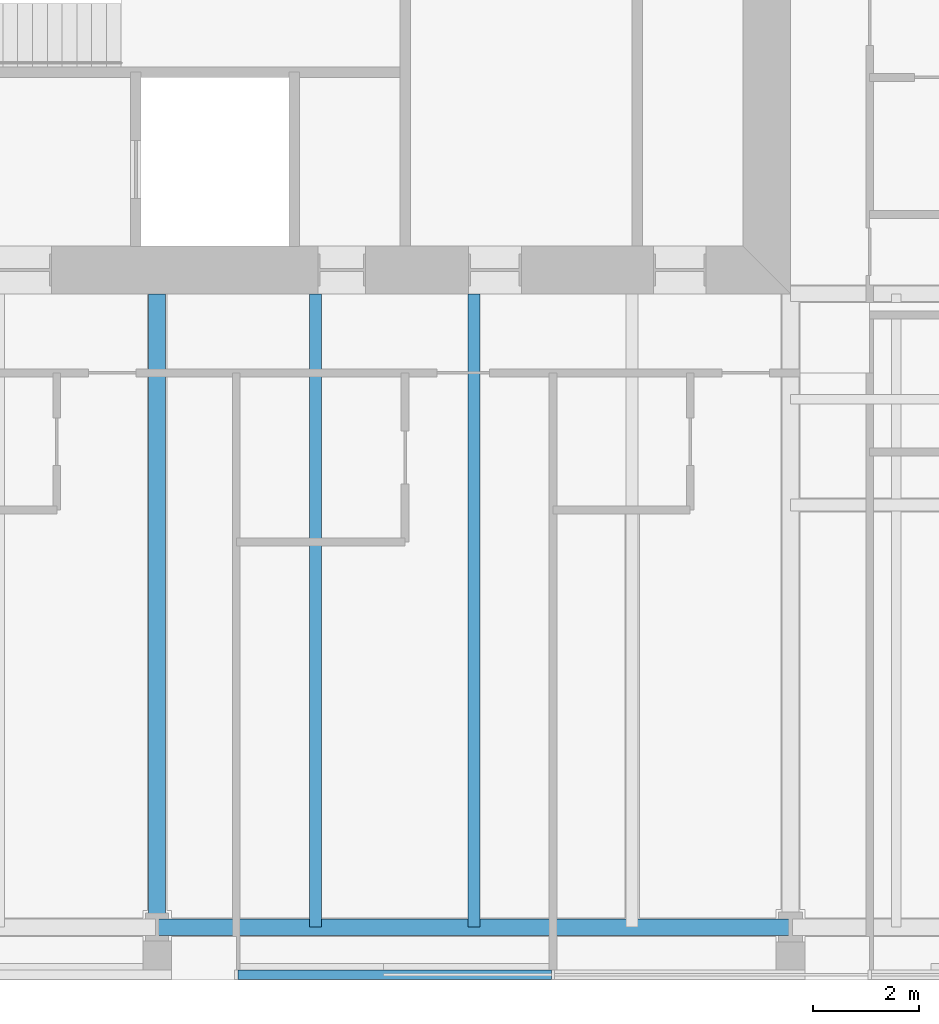
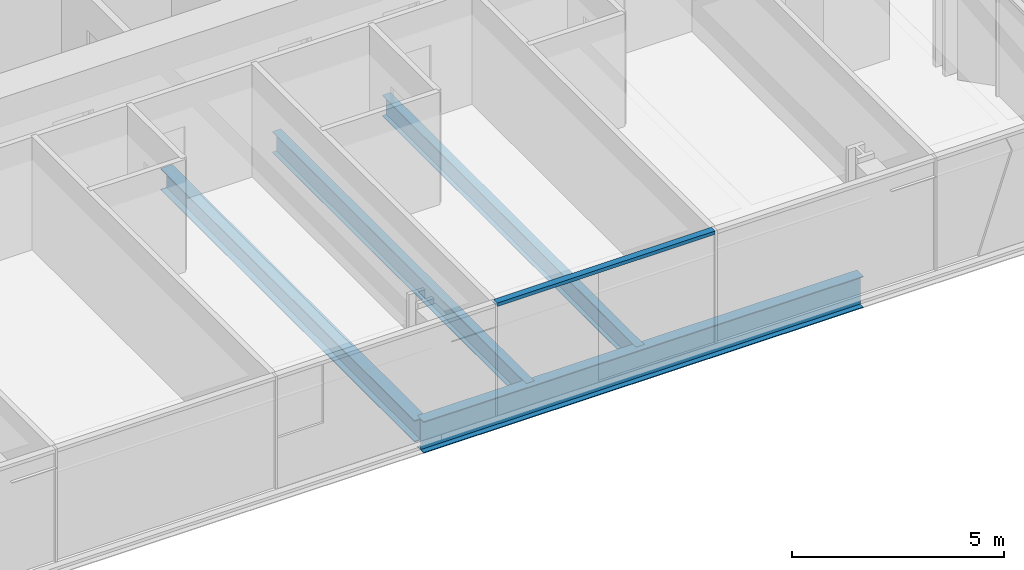
# One storey, part 3 of 20: 4 beams, 1 member, 1 element without a shape of its own.
"""IFC4 building model written with IfcOpenShell, lengths in metres."""

from ifc_helpers import new_model, si_unit, direction, frame, origin, origin_2d, place, context, subcontext, project, spatial, rectangle, i_section, extrude, material, material_profile, profile_set, type_object, element, aggregate, save


model = new_model("IFC4")

# Units and contexts
model_context = context("Model", 3, precision=1e-05, world=origin(), true_north=direction((0.0, 1.0)))
body_context = subcontext(model_context, "Body", "Model", "MODEL_VIEW")
ifc_project = project(units=[si_unit("LENGTHUNIT", "METRE"), si_unit("AREAUNIT", "SQUARE_METRE"), si_unit("VOLUMEUNIT", "CUBIC_METRE"), si_unit("PLANEANGLEUNIT", "RADIAN"), si_unit("MASSUNIT", "GRAM", prefix="KILO")], contexts=[model_context])

# Site, building, storey
site_placement = place(None, origin())
site = spatial("IfcSite", under=ifc_project, at=site_placement, CompositionType="ELEMENT")
building_placement = place(site_placement, origin())
building = spatial("IfcBuilding", under=site, at=building_placement, Name="Fenwick Lantern Interchange", CompositionType="ELEMENT")
storey_placement = place(building_placement, frame((0.0, 0.0, 252.60009765625)))
storey = spatial("IfcBuildingStorey", under=building, at=storey_placement, Name="L59", CompositionType="ELEMENT", Elevation=252.60009765625)

# Beams
ifc_material_1 = material(Name="Steel ASTM A992 Grade 50", Category="steel")
ifc_material_profile_1 = material_profile(ifc_material_1, i_section(OverallWidth=0.3046875, OverallDepth=0.911865234375, WebThickness=0.015869140625, FlangeThickness=0.02392578125, at=origin_2d()), Name="W36X150")
ifc_profile_set_1 = profile_set([ifc_material_profile_1], Name="Steel ASTM A992 Grade 50")
beam_type_1 = type_object("IfcBeamType", Name="EDGE BEAM W36X150", PredefinedType="SPANDREL", material=ifc_profile_set_1)
beam_1_placement = place(storey_placement, frame((25.0, 1.0, -0.60595703125), z_axis=(1.0, 0.0, 0.0), x_axis=(0.0, 1.0, 0.0)))
element("IfcBeam", 1, at=beam_1_placement, inside=storey, type_object=beam_type_1, Name="L59/FR/S/EB3", PredefinedType="SPANDREL", context=body_context, shape_type="SweptSolid", body=[
    extrude(i_section(OverallWidth=0.3046875, OverallDepth=0.911865234375, WebThickness=0.015869140625, FlangeThickness=0.02392578125, at=origin_2d()), origin(), (0.0, 0.0, 1.0), 12.0),
])
ifc_material_profile_2 = material_profile(ifc_material_1, i_section(OverallWidth=0.22900390625, OverallDepth=0.612060546875, WebThickness=0.011962890625, FlangeThickness=0.01953125, at=origin_2d()), Name="W24X84")
ifc_profile_set_2 = profile_set([ifc_material_profile_2], Name="Steel ASTM A992 Grade 50")
beam_type_2 = type_object("IfcBeamType", Name="FLOOR BEAM W24X84", PredefinedType="BEAM", material=ifc_profile_set_2)
for number, where, z_axis, x_axis, name in (
    (2, (28.0, 1.0, -0.4560546875), (0.0, 1.0, 0.0), (-1.0, 0.0, 0.0), "L59/FR/S/R06"),
    (3, (31.0, 1.0, -0.4560546875), (0.0, 1.0, 0.0), (-1.0, 0.0, 0.0), "L59/FR/S/R07"),
):
    element("IfcBeam", number, at=place(storey_placement, frame(where, z_axis=z_axis, x_axis=x_axis)), inside=storey, type_object=beam_type_2, Name=name, PredefinedType="BEAM", context=body_context, shape_type="SweptSolid", body=[
        extrude(i_section(OverallWidth=0.22900390625, OverallDepth=0.612060546875, WebThickness=0.011962890625, FlangeThickness=0.01953125, at=origin_2d()), origin(), (0.0, 0.0, 1.0), 12.0),
    ])

# Curtain wall, member
ifc_material_2 = material(Name="Aluminium curtain wall frame", Category="aluminium")
curtain_wall_type = type_object("IfcCurtainWallType", Name="HOTEL CURTAIN WALL", PredefinedType="USERDEFINED", material=ifc_material_2)
curtain_wall_placement = place(storey_placement, origin())
curtain_wall = element("IfcCurtainWall", 4, at=curtain_wall_placement, inside=storey, type_object=curtain_wall_type, Name="Hotel curtain wall 01", ObjectType="HOTEL CURTAIN WALL", PredefinedType="USERDEFINED")
ifc_material_3 = material(Name="Aluminium extrusion", Category="aluminium")
ifc_material_profile_3 = material_profile(ifc_material_3, rectangle(XDim=0.179931640625, YDim=0.10009765625, at=origin_2d()), Name="HOTEL CURTAIN WALL TRANSOM 100 X 180")
ifc_profile_set_3 = profile_set([ifc_material_profile_3], Name="Aluminium extrusion")
member_type = type_object("IfcMemberType", Name="HOTEL CURTAIN WALL TRANSOM 100 X 180", PredefinedType="MULLION", material=ifc_profile_set_3)
member_placement = place(storey_placement, frame((26.530029296875, 0.10009765625, 3.199951171875), z_axis=(1.0, 0.0, 0.0), x_axis=(0.0, 1.0, 0.0)))
member = element("IfcMember", 5, at=member_placement, type_object=member_type, Name="L59/CW/01/T04", PredefinedType="MULLION", context=body_context, shape_type="SweptSolid", body=[
    extrude(rectangle(XDim=0.179931640625, YDim=0.10009765625, at=origin_2d()), origin(), (0.0, 0.0, 1.0), 5.93994140625),
])
aggregate(curtain_wall, [member])

# Beam
ifc_material_profile_4 = material_profile(ifc_material_1, i_section(OverallWidth=0.32763671875, OverallDepth=0.622314453125, WebThickness=0.015380859375, FlangeThickness=0.0244140625, at=origin_2d()), Name="W24X131")
ifc_profile_set_4 = profile_set([ifc_material_profile_4], Name="Steel ASTM A992 Grade 50")
beam_type_3 = type_object("IfcBeamType", Name="MOMENT-CONNECTED GIRDER W24X131", PredefinedType="BEAM", material=ifc_profile_set_4)
beam_2_placement = place(storey_placement, frame((25.0, 1.0, -0.461181640625), z_axis=(0.0, 1.0, 0.0), x_axis=(-1.0, 0.0, 0.0)))
element("IfcBeam", 6, at=beam_2_placement, inside=storey, type_object=beam_type_3, Name="L59/FR/S/R05", PredefinedType="BEAM", context=body_context, shape_type="SweptSolid", body=[
    extrude(i_section(OverallWidth=0.32763671875, OverallDepth=0.622314453125, WebThickness=0.015380859375, FlangeThickness=0.0244140625, at=origin_2d()), origin(), (0.0, 0.0, 1.0), 12.0),
])

save(model, "model.ifc")
